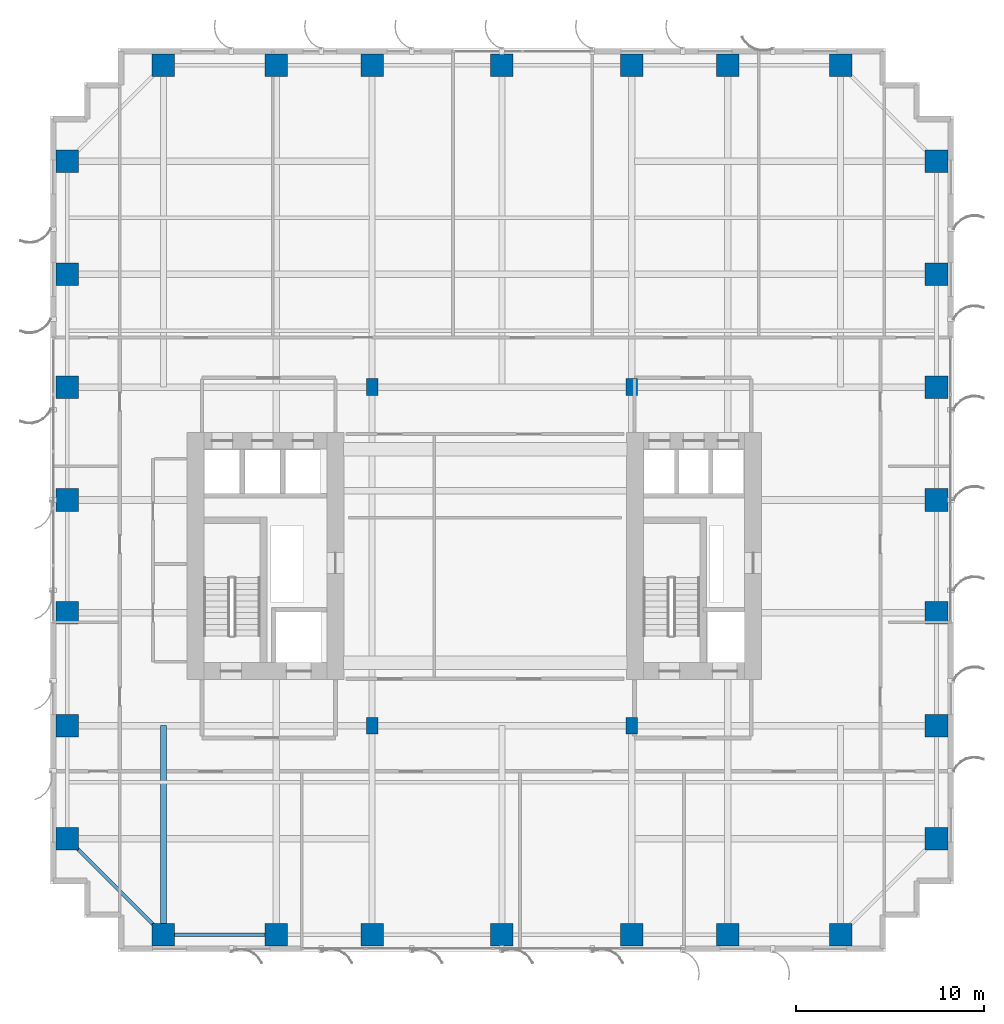
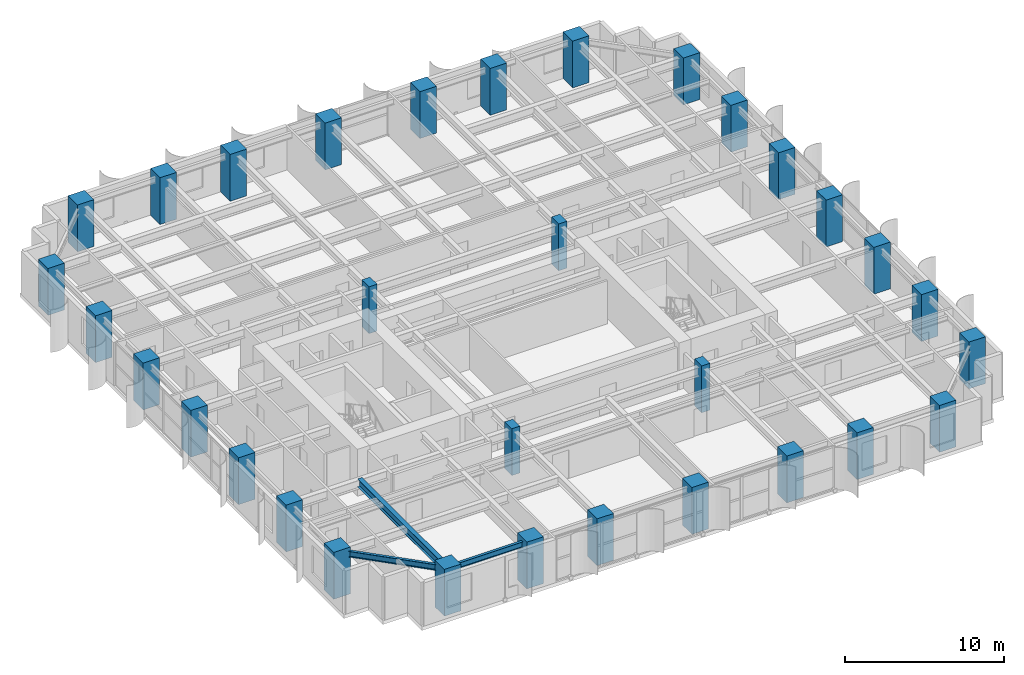
# One storey, part 1 of 25: 32 columns, 3 beams.
"""IFC4 building model written with IfcOpenShell, lengths in metres."""

import ifcopenshell
import ifcopenshell.guid

model = None  # the IFC model being written
_history = None  # IfcOwnerHistory: only IFC2X3 demands one
_inside = {}  # id of a spatial element -> (the spatial element, [elements in it])
_under = {}  # id of a project, library or spatial element -> (it, [spatial elements below it])
_declared = {}  # id of a project -> (the project, [libraries it declares])
_typed = {}  # id of a type object -> (the type object, [elements of that type])
_made_of = {}  # id of a material, layer set ... -> (it, [elements and type objects made of it])


def new_model(schema):
    """Start an empty IFC model of exactly this schema.

    Asked for "IFC4X3", IfcOpenShell would pick the latest addendum, in which some entities
    have other attributes; the version numbers below select the first issue.
    IFC2X3 requires an IfcOwnerHistory on every rooted entity: one is made here for all.
    """
    global model, _history
    if schema == "IFC4X3":
        model = ifcopenshell.file(schema_version=(4, 3, 0, 0))
    else:
        model = ifcopenshell.file(schema=schema)
    _inside.clear()
    _under.clear()
    _declared.clear()
    _typed.clear()
    _made_of.clear()
    _history = None
    if model.schema == "IFC2X3":
        org = make("IfcOrganization", Name="unknown")
        user = make(
            "IfcPersonAndOrganization",
            ThePerson=make("IfcPerson", FamilyName="unknown"),
            TheOrganization=org,
        )
        app = make(
            "IfcApplication",
            ApplicationDeveloper=org,
            Version="unknown",
            ApplicationFullName="unknown",
            ApplicationIdentifier="unknown",
        )
        _history = make(
            "IfcOwnerHistory",
            OwningUser=user,
            OwningApplication=app,
            ChangeAction="ADDED",
            CreationDate=0,
        )
    return model


def make(cls, **values):
    """One entity of the class cls with the attributes given. An attribute that is None is left unset."""
    return model.create_entity(
        cls, **{name: value for name, value in values.items() if value is not None}
    )


def rooted(cls, **values):
    """An entity with a GlobalId (a new one), such as an element, a storey or a relation."""
    return make(cls, GlobalId=ifcopenshell.guid.new(), OwnerHistory=_history, **values)


def si_unit(unit_type, name, prefix=None):
    """IfcSIUnit, for example si_unit("LENGTHUNIT", "METRE", prefix="MILLI")."""
    return make("IfcSIUnit", UnitType=unit_type, Prefix=prefix, Name=name)


def assignment(units):
    """IfcUnitAssignment: the units of a project."""
    return None if units is None else make("IfcUnitAssignment", Units=units)


def point(xyz):
    """IfcCartesianPoint."""
    return None if xyz is None else make("IfcCartesianPoint", Coordinates=xyz)


def direction(xyz):
    """IfcDirection."""
    return None if xyz is None else make("IfcDirection", DirectionRatios=xyz)


def frame(location, z_axis=None, x_axis=None):
    """IfcAxis2Placement3D, a coordinate frame: its origin and axes. An axis left out is left unset."""
    return make(
        "IfcAxis2Placement3D",
        Location=point(location),
        Axis=direction(z_axis),
        RefDirection=direction(x_axis),
    )


def frame_2d(location, x_axis=None):
    """IfcAxis2Placement2D, a coordinate frame in the plane: its origin and x axis."""
    return make(
        "IfcAxis2Placement2D", Location=point(location), RefDirection=direction(x_axis)
    )


def origin():
    """The frame at (0, 0, 0) with its axes left unset."""
    return frame((0.0, 0.0, 0.0))


def origin_2d():
    """The frame at (0, 0) in the plane with its x axis left unset."""
    return frame_2d((0.0, 0.0))


def place(relative_to, where):
    """IfcLocalPlacement: puts the frame where relative to a parent placement (None: the world)."""
    return make(
        "IfcLocalPlacement", PlacementRelTo=relative_to, RelativePlacement=where
    )


def context(
    kind, dimensions, precision=None, world=None, true_north=None, identifier=None
):
    """IfcGeometricRepresentationContext, for example the 3D "Model" context."""
    return make(
        "IfcGeometricRepresentationContext",
        ContextIdentifier=identifier,
        ContextType=kind,
        CoordinateSpaceDimension=dimensions,
        Precision=precision,
        WorldCoordinateSystem=world,
        TrueNorth=true_north,
    )


def subcontext(parent, identifier, kind, view, scale=None):
    """IfcGeometricRepresentationSubContext, for example "Body" below "Model"."""
    return make(
        "IfcGeometricRepresentationSubContext",
        ContextIdentifier=identifier,
        ContextType=kind,
        ParentContext=parent,
        TargetScale=scale,
        TargetView=view,
    )


def project(units=None, contexts=None):
    """IfcProject with its units and contexts."""
    return rooted(
        "IfcProject",
        Name="project",
        RepresentationContexts=contexts,
        UnitsInContext=assignment(units),
    )


def spatial(cls, under=None, at=None, **own):
    """A site, building, storey or space (cls), placed at a placement, below another one or the project."""
    s = rooted(cls, ObjectPlacement=at, **own)
    if under is not None:
        _under.setdefault(under.id(), (under, []))[1].append(s)
    return s


def profile(cls, at=None, kind="AREA", **sizes):
    """A parametric profile (cls). Its sizes go by their IFC names, for example OverallWidth=200.0."""
    return make(cls, ProfileType=kind, Position=at, **sizes)


def rectangle(**sizes):
    """IfcRectangleProfileDef."""
    return profile("IfcRectangleProfileDef", **sizes)


def i_section(**sizes):
    """IfcIShapeProfileDef."""
    return profile("IfcIShapeProfileDef", **sizes)


def extrude(swept, where, along, depth):
    """IfcExtrudedAreaSolid: the profile swept, set in the frame where, extruded along a direction by depth."""
    return make(
        "IfcExtrudedAreaSolid",
        SweptArea=swept,
        Position=where,
        ExtrudedDirection=direction(along),
        Depth=depth,
    )


def shape(context_of_items, identifier, shape_type, items):
    """IfcShapeRepresentation: the items that make up one representation, for example the "Body"."""
    return make(
        "IfcShapeRepresentation",
        ContextOfItems=context_of_items,
        RepresentationIdentifier=identifier,
        RepresentationType=shape_type,
        Items=items,
    )


def source(mapping_origin, context_of_items, identifier, shape_type, items):
    """IfcRepresentationMap: a shape defined once, which mapped items show again and again."""
    return make(
        "IfcRepresentationMap",
        MappingOrigin=mapping_origin,
        MappedRepresentation=shape(context_of_items, identifier, shape_type, items),
    )


def transform(
    local_origin,
    x_axis=None,
    y_axis=None,
    z_axis=None,
    scale=None,
    scale2=None,
    scale3=None,
    uniform=True,
):
    """IfcCartesianTransformationOperator3D, or its non-uniform kind. x_axis, y_axis, z_axis: its Axis1, 2, 3."""
    if uniform:
        return make(
            "IfcCartesianTransformationOperator3D",
            Axis1=direction(x_axis),
            Axis2=direction(y_axis),
            LocalOrigin=point(local_origin),
            Scale=scale,
            Axis3=direction(z_axis),
        )
    return make(
        "IfcCartesianTransformationOperator3DnonUniform",
        Axis1=direction(x_axis),
        Axis2=direction(y_axis),
        LocalOrigin=point(local_origin),
        Scale=scale,
        Axis3=direction(z_axis),
        Scale2=scale2,
        Scale3=scale3,
    )


def mapped(mapping_source, mapping_target):
    """IfcMappedItem: shows the shape of a source again, moved by a transform."""
    return make(
        "IfcMappedItem", MappingSource=mapping_source, MappingTarget=mapping_target
    )


def material(Name=None, Category=None):
    """IfcMaterial."""
    return make("IfcMaterial", Name=Name, Category=Category)


def material_profile(
    of_material, cross_section, Name=None, Category=None, Priority=None
):
    """IfcMaterialProfile: a cross section and its material."""
    return make(
        "IfcMaterialProfile",
        Name=Name,
        Material=of_material,
        Profile=cross_section,
        Priority=Priority,
        Category=Category,
    )


def profile_set(profiles, Name=None, composite=None):
    """IfcMaterialProfileSet."""
    return make(
        "IfcMaterialProfileSet",
        Name=Name,
        MaterialProfiles=profiles,
        CompositeProfile=composite,
    )


def made_of(thing, what):
    """Note that an element or type object is made of a material, layer set ...; save() writes the relation."""
    if what is not None:
        _made_of.setdefault(what.id(), (what, []))[1].append(thing)
    return thing


def type_object(cls, material=None, **own):
    """A type object (cls), such as IfcWallType, which elements share."""
    return made_of(rooted(cls, **own), material)


def element(
    cls,
    number,
    at=None,
    inside=None,
    cuts=None,
    type_object=None,
    material=None,
    context=None,
    identifier="Body",
    shape_type=None,
    held_by="IfcProductDefinitionShape",
    body=None,
    shapes=None,
    **own,
):
    """One element of the class cls, such as IfcWall. Its Tag is "e" and its number.

    at: its placement. inside: the storey or other place that contains it. cuts: it is an
    opening in that element (IfcRelVoidsElement). A single representation is given by context,
    identifier, shape_type and body (its items); several are given by shapes. held_by: the class
    of the entity that holds the representations. save() writes the other relations.
    """
    e = rooted(cls, Tag="e%d" % number, ObjectPlacement=at, **own)
    if body is not None:
        shapes = [shape(context, identifier, shape_type, body)]
    if shapes is not None:
        e.Representation = make(held_by, Representations=shapes)
    if inside is not None:
        _inside.setdefault(inside.id(), (inside, []))[1].append(e)
    if cuts is not None:
        rooted(
            "IfcRelVoidsElement", RelatingBuildingElement=cuts, RelatedOpeningElement=e
        )
    if type_object is not None:
        _typed.setdefault(type_object.id(), (type_object, []))[1].append(e)
    return made_of(e, material)


def aggregate(whole, parts):
    """IfcRelAggregates: a whole, such as a stair, and the parts it consists of."""
    return rooted("IfcRelAggregates", RelatingObject=whole, RelatedObjects=parts)


def save(model, path):
    """Write the relations noted so far, then the file.

    IfcRelAggregates (storeys below a building ...), IfcRelContainedInSpatialStructure (elements
    in a storey), IfcRelDefinesByType, IfcRelAssociatesMaterial and IfcRelDeclares: one each for
    every whole, place, type object, material and project.
    """
    for whole, parts in _under.values():
        aggregate(whole, parts)
    for where, things in _inside.values():
        rooted(
            "IfcRelContainedInSpatialStructure",
            RelatedElements=things,
            RelatingStructure=where,
        )
    for kind, things in _typed.values():
        rooted("IfcRelDefinesByType", RelatedObjects=things, RelatingType=kind)
    for what, things in _made_of.values():
        rooted("IfcRelAssociatesMaterial", RelatedObjects=things, RelatingMaterial=what)
    for by, libraries in _declared.values():
        rooted("IfcRelDeclares", RelatingContext=by, RelatedDefinitions=libraries)
    model.write(path)


model = new_model("IFC4")

# Units and contexts
model_context = context("Model", 3, precision=1e-05, world=origin(), true_north=direction((0.0, 1.0)))
body_context = subcontext(model_context, "Body", "Model", "MODEL_VIEW")
ifc_project = project(units=[si_unit("LENGTHUNIT", "METRE"), si_unit("AREAUNIT", "SQUARE_METRE"), si_unit("VOLUMEUNIT", "CUBIC_METRE"), si_unit("PLANEANGLEUNIT", "RADIAN"), si_unit("MASSUNIT", "GRAM", prefix="KILO")], contexts=[model_context])

# Site, building, storey
site_placement = place(None, origin())
site = spatial("IfcSite", under=ifc_project, at=site_placement, CompositionType="ELEMENT")
building_placement = place(site_placement, origin())
building = spatial("IfcBuilding", under=site, at=building_placement, Name="Khoralis Quay Care Tower", CompositionType="ELEMENT")
storey_placement = place(building_placement, frame((0.0, 0.0, 51.300048828125)))
storey = spatial("IfcBuildingStorey", under=building, at=storey_placement, Name="L13", CompositionType="ELEMENT", Elevation=51.300048828125)

# Columns
ifc_material_1 = material(Name="Concrete C80/95", Category="concrete")
ifc_material_profile_1 = material_profile(ifc_material_1, rectangle(XDim=1.199951171875, YDim=1.199951171875, at=origin_2d()), Name="Concrete C80/95")
ifc_profile_set_1 = profile_set([ifc_material_profile_1], Name="Concrete C80/95")
column_type_1 = type_object("IfcColumnType", Name="COL-C1200", PredefinedType="COLUMN", material=ifc_profile_set_1)
shared_shape_1 = source(origin(), body_context, "Body", "SweptSolid", [
    extrude(rectangle(XDim=1.199951171875, YDim=1.199951171875, at=origin_2d()), origin(), (0.0, 0.0, 1.0), 3.599853515625),
])
for number, where, z_axis, x_axis, name in (
    (1, (6.0, 0.89990234375, 0.0), (0.0, 0.0, 1.0), (1.0, 0.0, 0.0), "COL-TWR-L13-01"),
    (2, (6.0, 47.10009765625, 0.0), (0.0, 0.0, 1.0), (1.0, 0.0, 0.0), "COL-TWR-L13-02"),
    (3, (12.0, 0.89990234375, 0.0), (0.0, 0.0, 1.0), (1.0, 0.0, 0.0), "COL-TWR-L13-03"),
    (4, (12.0, 47.10009765625, 0.0), (0.0, 0.0, 1.0), (1.0, 0.0, 0.0), "COL-TWR-L13-04"),
    (5, (17.10009765625, 0.89990234375, 0.0), (0.0, 0.0, 1.0), (1.0, 0.0, 0.0), "COL-TWR-L13-05"),
    (6, (17.10009765625, 47.10009765625, 0.0), (0.0, 0.0, 1.0), (1.0, 0.0, 0.0), "COL-TWR-L13-06"),
    (7, (24.0, 0.89990234375, 0.0), (0.0, 0.0, 1.0), (1.0, 0.0, 0.0), "COL-TWR-L13-07"),
    (8, (24.0, 47.10009765625, 0.0), (0.0, 0.0, 1.0), (1.0, 0.0, 0.0), "COL-TWR-L13-08"),
    (9, (30.89990234375, 0.89990234375, 0.0), (0.0, 0.0, 1.0), (1.0, 0.0, 0.0), "COL-TWR-L13-09"),
    (10, (30.89990234375, 47.10009765625, 0.0), (0.0, 0.0, 1.0), (1.0, 0.0, 0.0), "COL-TWR-L13-10"),
    (11, (36.0, 0.89990234375, 0.0), (0.0, 0.0, 1.0), (1.0, 0.0, 0.0), "COL-TWR-L13-11"),
    (12, (36.0, 47.10009765625, 0.0), (0.0, 0.0, 1.0), (1.0, 0.0, 0.0), "COL-TWR-L13-12"),
    (13, (42.0, 0.89990234375, 0.0), (0.0, 0.0, 1.0), (1.0, 0.0, 0.0), "COL-TWR-L13-13"),
    (14, (42.0, 47.10009765625, 0.0), (0.0, 0.0, 1.0), (1.0, 0.0, 0.0), "COL-TWR-L13-14"),
    (15, (0.89990234375, 6.0, 0.0), (0.0, 0.0, 1.0), (1.0, 0.0, 0.0), "COL-TWR-L13-15"),
    (16, (47.10009765625, 6.0, 0.0), (0.0, 0.0, 1.0), (1.0, 0.0, 0.0), "COL-TWR-L13-16"),
    (17, (0.89990234375, 12.0, 0.0), (0.0, 0.0, 1.0), (1.0, 0.0, 0.0), "COL-TWR-L13-17"),
    (18, (47.10009765625, 12.0, 0.0), (0.0, 0.0, 1.0), (1.0, 0.0, 0.0), "COL-TWR-L13-18"),
    (19, (0.89990234375, 18.0, 0.0), (0.0, 0.0, 1.0), (1.0, 0.0, 0.0), "COL-TWR-L13-19"),
    (20, (47.10009765625, 18.0, 0.0), (0.0, 0.0, 1.0), (1.0, 0.0, 0.0), "COL-TWR-L13-20"),
    (21, (0.89990234375, 24.0, 0.0), (0.0, 0.0, 1.0), (1.0, 0.0, 0.0), "COL-TWR-L13-21"),
    (22, (47.10009765625, 24.0, 0.0), (0.0, 0.0, 1.0), (1.0, 0.0, 0.0), "COL-TWR-L13-22"),
    (23, (0.89990234375, 30.0, 0.0), (0.0, 0.0, 1.0), (1.0, 0.0, 0.0), "COL-TWR-L13-23"),
    (24, (47.10009765625, 30.0, 0.0), (0.0, 0.0, 1.0), (1.0, 0.0, 0.0), "COL-TWR-L13-24"),
    (25, (0.89990234375, 36.0, 0.0), (0.0, 0.0, 1.0), (1.0, 0.0, 0.0), "COL-TWR-L13-25"),
    (26, (47.10009765625, 36.0, 0.0), (0.0, 0.0, 1.0), (1.0, 0.0, 0.0), "COL-TWR-L13-26"),
    (27, (0.89990234375, 42.0, 0.0), (0.0, 0.0, 1.0), (1.0, 0.0, 0.0), "COL-TWR-L13-27"),
    (28, (47.10009765625, 42.0, 0.0), (0.0, 0.0, 1.0), (1.0, 0.0, 0.0), "COL-TWR-L13-28"),
):
    element("IfcColumn", number, at=place(storey_placement, frame(where, z_axis=z_axis, x_axis=x_axis)), inside=storey, type_object=column_type_1, Name=name, PredefinedType="COLUMN", context=body_context, shape_type="MappedRepresentation", body=[
        mapped(shared_shape_1, transform((0.0, 0.0, 0.0), scale=1.0)),
    ])
ifc_material_2 = material(Name="Concrete C65/80", Category="concrete")
ifc_material_profile_2 = material_profile(ifc_material_2, rectangle(XDim=0.60009765625, YDim=0.89990234375, at=origin_2d()), Name="Concrete C65/80")
ifc_profile_set_2 = profile_set([ifc_material_profile_2], Name="Concrete C65/80")
column_type_2 = type_object("IfcColumnType", Name="COL-C600X900", PredefinedType="COLUMN", material=ifc_profile_set_2)
shared_shape_2 = source(origin(), body_context, "Body", "SweptSolid", [
    extrude(rectangle(XDim=0.60009765625, YDim=0.89990234375, at=origin_2d()), origin(), (0.0, 0.0, 1.0), 3.599853515625),
])
for number, where, z_axis, x_axis, name in (
    (29, (17.10009765625, 12.0, 0.0), (0.0, 0.0, 1.0), (1.0, 0.0, 0.0), "COL-TWR-L13-29"),
    (30, (17.10009765625, 30.0, 0.0), (0.0, 0.0, 1.0), (1.0, 0.0, 0.0), "COL-TWR-L13-30"),
    (31, (30.89990234375, 12.0, 0.0), (0.0, 0.0, 1.0), (1.0, 0.0, 0.0), "COL-TWR-L13-31"),
    (32, (30.89990234375, 30.0, 0.0), (0.0, 0.0, 1.0), (1.0, 0.0, 0.0), "COL-TWR-L13-32"),
):
    element("IfcColumn", number, at=place(storey_placement, frame(where, z_axis=z_axis, x_axis=x_axis)), inside=storey, type_object=column_type_2, Name=name, PredefinedType="COLUMN", context=body_context, shape_type="MappedRepresentation", body=[
        mapped(shared_shape_2, transform((0.0, 0.0, 0.0), scale=1.0)),
    ])

# Beams
ifc_material_3 = material(Name="Steel S355", Category="steel")
ifc_material_profile_3 = material_profile(ifc_material_3, i_section(OverallWidth=0.18994140625, OverallDepth=0.449951171875, WebThickness=0.009521484375, FlangeThickness=0.0146484375, FilletRadius=0.02099609375, at=origin_2d()), Name="Steel S355")
ifc_profile_set_3 = profile_set([ifc_material_profile_3], Name="Steel S355")
beam_type_1 = type_object("IfcBeamType", Name="BM-IPE450", PredefinedType="SPANDREL", material=ifc_profile_set_3)
shared_shape_3 = source(origin(), body_context, "Body", "SweptSolid", [
    extrude(i_section(OverallWidth=0.18994140625, OverallDepth=0.449951171875, WebThickness=0.009521484375, FlangeThickness=0.0146484375, FilletRadius=0.02099609375, at=origin_2d()), origin(), (0.0, 0.0, 1.0), 6.0),
])
beam_1_placement = place(storey_placement, frame((6.0, 0.89990234375, 3.094970703125), z_axis=(1.0, 0.0, 0.0), x_axis=(0.0, 1.0, 0.0)))
element("IfcBeam", 33, at=beam_1_placement, inside=storey, type_object=beam_type_1, Name="BM-TSP-L13-01", PredefinedType="SPANDREL", context=body_context, shape_type="MappedRepresentation", body=[
    mapped(shared_shape_3, transform((0.0, 0.0, 0.0), scale=1.0)),
])
shared_shape_4 = source(origin(), body_context, "Body", "SweptSolid", [
    extrude(i_section(OverallWidth=0.18994140625, OverallDepth=0.449951171875, WebThickness=0.009521484375, FlangeThickness=0.0146484375, FilletRadius=0.02099609375, at=origin_2d()), origin(), (0.0, 0.0, 1.0), 7.212646484375),
])
beam_2_placement = place(storey_placement, frame((6.0, 0.89990234375, 3.094970703125), z_axis=(-0.707106781187, 0.707106781187, 0.0), x_axis=(-0.707106781187, -0.707106781187, 0.0)))
element("IfcBeam", 34, at=beam_2_placement, inside=storey, type_object=beam_type_1, Name="BM-TCR-L13-25", PredefinedType="SPANDREL", context=body_context, shape_type="MappedRepresentation", body=[
    mapped(shared_shape_4, transform((0.0, 0.0, 0.0), scale=1.0)),
])
ifc_material_profile_4 = material_profile(ifc_material_3, i_section(OverallWidth=0.324951171875, OverallDepth=0.615966796875, WebThickness=0.013916015625, FlangeThickness=0.021484375, FilletRadius=0.01806640625, at=origin_2d()), Name="Steel S355")
ifc_profile_set_4 = profile_set([ifc_material_profile_4], Name="Steel S355")
beam_type_2 = type_object("IfcBeamType", Name="BM-W610X174", PredefinedType="BEAM", material=ifc_profile_set_4)
shared_shape_5 = source(origin(), body_context, "Body", "SweptSolid", [
    extrude(i_section(OverallWidth=0.324951171875, OverallDepth=0.615966796875, WebThickness=0.013916015625, FlangeThickness=0.021484375, FilletRadius=0.01806640625, at=origin_2d()), origin(), (0.0, 0.0, 1.0), 11.10009765625),
])
beam_3_placement = place(storey_placement, frame((6.0, 0.89990234375, 3.011962890625), z_axis=(0.0, 1.0, 0.0), x_axis=(-1.0, 0.0, 0.0)))
element("IfcBeam", 35, at=beam_3_placement, inside=storey, type_object=beam_type_2, Name="BM-TGYS-L13-60", PredefinedType="BEAM", context=body_context, shape_type="MappedRepresentation", body=[
    mapped(shared_shape_5, transform((0.0, 0.0, 0.0), scale=1.0)),
])

save(model, "model.ifc")
